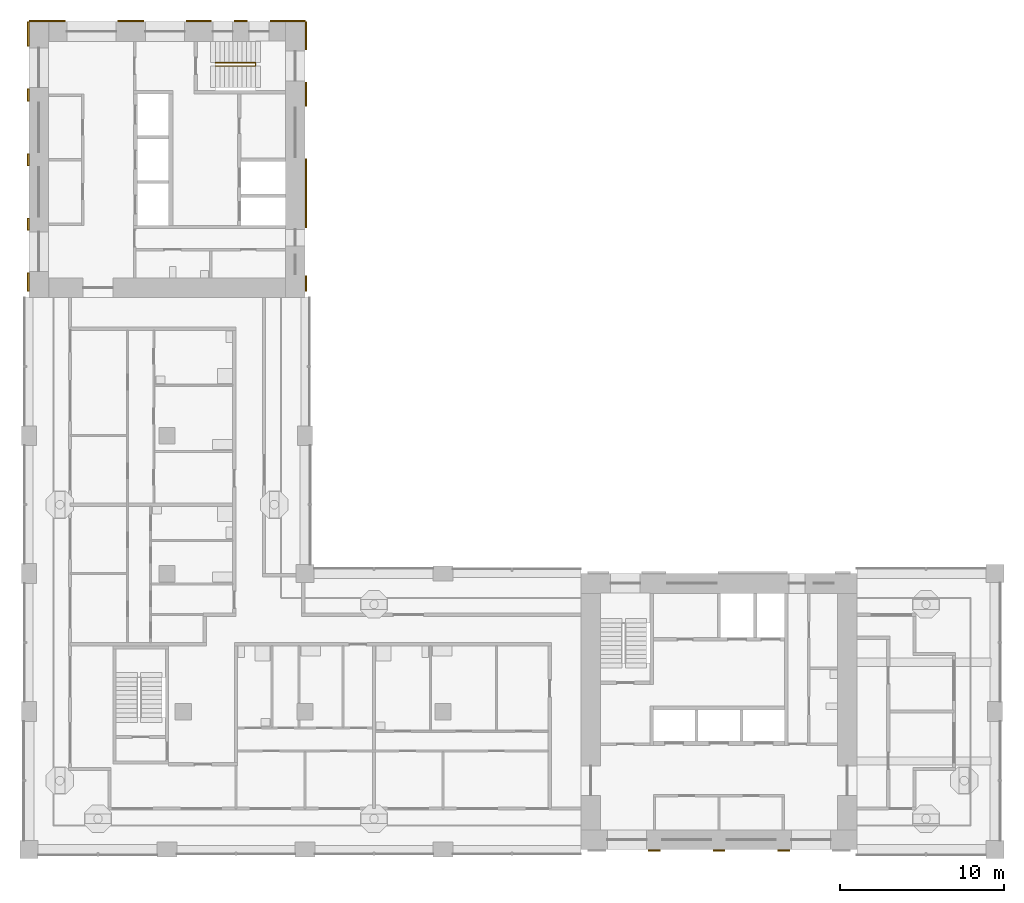
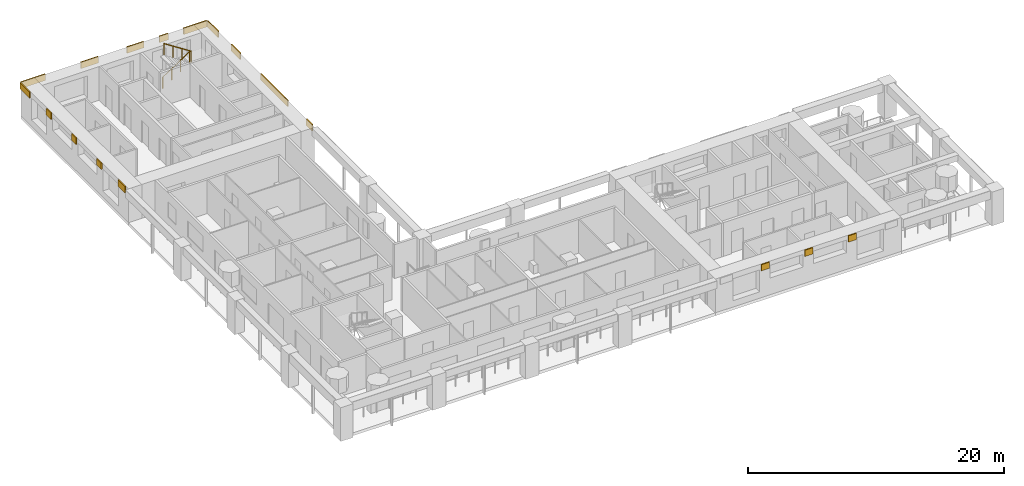
# One storey, part 10 of 13: 17 shading devices, 1 railing.
"""IFC4 building model written with IfcOpenShell, lengths in metres."""

from ifc_helpers import new_model, si_unit, direction, frame, origin, origin_2d, place, context, subcontext, project, spatial, rectangle, circle, extrude, material, layer, layer_set, type_object, element, save


model = new_model("IFC4")

# Units and contexts
model_context = context("Model", 3, precision=1e-05, world=origin(), true_north=direction((0.0, 1.0)))
body_context = subcontext(model_context, "Body", "Model", "MODEL_VIEW")
ifc_project = project(units=[si_unit("LENGTHUNIT", "METRE"), si_unit("AREAUNIT", "SQUARE_METRE"), si_unit("VOLUMEUNIT", "CUBIC_METRE"), si_unit("PLANEANGLEUNIT", "RADIAN"), si_unit("MASSUNIT", "GRAM", prefix="KILO")], contexts=[model_context])

# Site, building, storey
site_placement = place(None, origin())
site = spatial("IfcSite", under=ifc_project, at=site_placement, CompositionType="ELEMENT")
building_placement = place(site_placement, origin())
building = spatial("IfcBuilding", under=site, at=building_placement, Name="Vermilion Gate Residences", CompositionType="ELEMENT")
storey_placement = place(building_placement, frame((0.0, 0.0, 186.199951171875)))
storey = spatial("IfcBuildingStorey", under=building, at=storey_placement, Name="L48", CompositionType="ELEMENT", Elevation=186.199951171875)

# Railing
ifc_material_1 = material(Name="Steel S355", Category="steel")
railing_type = type_object("IfcRailingType", Name="STAIR GUARD 1100 STEEL", PredefinedType="GUARDRAIL", material=ifc_material_1)
railing_placement = place(storey_placement, frame((19.75, 56.300048828125, 0.175048828125)))
element("IfcRailing", 1, at=railing_placement, inside=storey, type_object=railing_type, Name="Stair well guard STB1-48", PredefinedType="GUARDRAIL", context=body_context, shape_type="SweptSolid", body=[
    extrude(circle(Radius=0.02392578125, at=origin_2d()), frame((0.0, 0.0, 1.076171875), z_axis=(0.839153699163, 0.0, 0.543894354798), x_axis=(0.0, 1.0, 0.0)), (0.0, 0.0, 1.0), 2.895751953125),
    extrude(circle(Radius=0.02392578125, at=origin_2d()), frame((2.429931640625, 0.0, 2.65087890625), z_axis=(0.0, -0.752405939678, 0.658699705433), x_axis=(1.0, 0.0, 0.0)), (0.0, 0.0, 1.0), 0.265869140625),
    extrude(circle(Radius=0.02392578125, at=origin_2d()), frame((2.429931640625, -0.199951171875, 2.826171875), z_axis=(-0.839153699163, 0.0, 0.543894354798), x_axis=(0.0, -1.0, 0.0)), (0.0, 0.0, 1.0), 2.895751953125),
    extrude(circle(Radius=0.02099609375, at=origin_2d()), origin(), (0.0, 0.0, 1.0), 1.052001953125),
    extrude(circle(Radius=0.02099609375, at=origin_2d()), frame((0.81005859375, 0.0, 0.52490234375)), (0.0, 0.0, 1.0), 1.052001953125),
    extrude(circle(Radius=0.02099609375, at=origin_2d()), frame((1.619873046875, 0.0, 1.050048828125)), (0.0, 0.0, 1.0), 1.052001953125),
    extrude(circle(Radius=0.02099609375, at=origin_2d()), frame((2.429931640625, 0.0, 1.574951171875)), (0.0, 0.0, 1.0), 1.052001953125),
    extrude(circle(Radius=0.02099609375, at=origin_2d()), frame((2.429931640625, -0.199951171875, 1.75)), (0.0, 0.0, 1.0), 1.052001953125),
    extrude(circle(Radius=0.02099609375, at=origin_2d()), frame((1.619873046875, -0.199951171875, 2.27490234375)), (0.0, 0.0, 1.0), 1.052001953125),
    extrude(circle(Radius=0.02099609375, at=origin_2d()), frame((0.81005859375, -0.199951171875, 2.800048828125)), (0.0, 0.0, 1.0), 1.052001953125),
    extrude(circle(Radius=0.02099609375, at=origin_2d()), frame((0.0, -0.199951171875, 3.324951171875)), (0.0, 0.0, 1.0), 1.052001953125),
])

# Shading devices
ifc_material_2 = material(Name="Extruded terracotta", Category="masonry")
ifc_layer = layer(ifc_material_2, 0.10009765625)
ifc_layer_set = layer_set([ifc_layer], Name="TERRACOTTA SPANDREL BAND 600 X 100")
shading_device_type = type_object("IfcShadingDeviceType", Name="TERRACOTTA SPANDREL BAND 600 X 100", PredefinedType="USERDEFINED", material=ifc_layer_set)
shading_device_1_placement = place(storey_placement, frame((46.46875, 8.35009765625, 2.6201171875), z_axis=(0.0, 0.0, 1.0), x_axis=(1.0, 0.0, 0.0)))
element("IfcShadingDevice", 2, at=shading_device_1_placement, inside=storey, type_object=shading_device_type, Name="SPANDREL BAND", ObjectType="BAND", PredefinedType="USERDEFINED", context=body_context, shape_type="SweptSolid", body=[
    extrude(rectangle(XDim=0.737548828125, YDim=0.10009765625, at=origin_2d()), origin(), (0.0, 0.0, 1.0), 0.60009765625),
])
shading_device_2_placement = place(storey_placement, frame((50.39990234375, 8.35009765625, 2.6201171875), z_axis=(0.0, 0.0, 1.0), x_axis=(1.0, 0.0, 0.0)))
element("IfcShadingDevice", 3, at=shading_device_2_placement, inside=storey, type_object=shading_device_type, Name="SPANDREL BAND", ObjectType="BAND", PredefinedType="USERDEFINED", context=body_context, shape_type="SweptSolid", body=[
    extrude(rectangle(XDim=0.72509765625, YDim=0.10009765625, at=origin_2d()), origin(), (0.0, 0.0, 1.0), 0.60009765625),
])
shading_device_3_placement = place(storey_placement, frame((54.331298828125, 8.35009765625, 2.6201171875), z_axis=(0.0, 0.0, 1.0), x_axis=(1.0, 0.0, 0.0)))
element("IfcShadingDevice", 4, at=shading_device_3_placement, inside=storey, type_object=shading_device_type, Name="SPANDREL BAND", ObjectType="BAND", PredefinedType="USERDEFINED", context=body_context, shape_type="SweptSolid", body=[
    extrude(rectangle(XDim=0.737548828125, YDim=0.10009765625, at=origin_2d()), origin(), (0.0, 0.0, 1.0), 0.60009765625),
])
shading_device_4_placement = place(storey_placement, frame((9.50244140625, 58.85009765625, 2.6201171875), z_axis=(0.0, 0.0, 1.0), x_axis=(1.0, 0.0, 0.0)))
element("IfcShadingDevice", 5, at=shading_device_4_placement, inside=storey, type_object=shading_device_type, Name="SPANDREL BAND", ObjectType="BAND", PredefinedType="USERDEFINED", context=body_context, shape_type="SweptSolid", body=[
    extrude(rectangle(XDim=2.205078125, YDim=0.10009765625, at=origin_2d()), origin(), (0.0, 0.0, 1.0), 0.60009765625),
])
shading_device_5_placement = place(storey_placement, frame((14.590087890625, 58.85009765625, 2.6201171875), z_axis=(0.0, 0.0, 1.0), x_axis=(1.0, 0.0, 0.0)))
element("IfcShadingDevice", 6, at=shading_device_5_placement, inside=storey, type_object=shading_device_type, Name="SPANDREL BAND", ObjectType="BAND", PredefinedType="USERDEFINED", context=body_context, shape_type="SweptSolid", body=[
    extrude(rectangle(XDim=1.570068359375, YDim=0.10009765625, at=origin_2d()), origin(), (0.0, 0.0, 1.0), 0.60009765625),
])
shading_device_6_placement = place(storey_placement, frame((18.734130859375, 58.85009765625, 2.6201171875), z_axis=(0.0, 0.0, 1.0), x_axis=(1.0, 0.0, 0.0)))
element("IfcShadingDevice", 7, at=shading_device_6_placement, inside=storey, type_object=shading_device_type, Name="SPANDREL BAND", ObjectType="BAND", PredefinedType="USERDEFINED", context=body_context, shape_type="SweptSolid", body=[
    extrude(rectangle(XDim=1.518310546875, YDim=0.10009765625, at=origin_2d()), origin(), (0.0, 0.0, 1.0), 0.60009765625),
])
shading_device_7_placement = place(storey_placement, frame((21.294921875, 58.85009765625, 2.6201171875), z_axis=(0.0, 0.0, 1.0), x_axis=(1.0, 0.0, 0.0)))
element("IfcShadingDevice", 8, at=shading_device_7_placement, inside=storey, type_object=shading_device_type, Name="SPANDREL BAND", ObjectType="BAND", PredefinedType="USERDEFINED", context=body_context, shape_type="SweptSolid", body=[
    extrude(rectangle(XDim=0.803466796875, YDim=0.10009765625, at=origin_2d()), origin(), (0.0, 0.0, 1.0), 0.60009765625),
])
shading_device_8_placement = place(storey_placement, frame((24.1484375, 58.85009765625, 2.6201171875), z_axis=(0.0, 0.0, 1.0), x_axis=(1.0, 0.0, 0.0)))
element("IfcShadingDevice", 9, at=shading_device_8_placement, inside=storey, type_object=shading_device_type, Name="SPANDREL BAND", ObjectType="BAND", PredefinedType="USERDEFINED", context=body_context, shape_type="SweptSolid", body=[
    extrude(rectangle(XDim=2.103271484375, YDim=0.10009765625, at=origin_2d()), origin(), (0.0, 0.0, 1.0), 0.60009765625),
])
shading_device_9_placement = place(storey_placement, frame((8.35009765625, 42.949951171875, 2.6201171875), z_axis=(0.0, 0.0, 1.0), x_axis=(0.0, 1.0, 0.0)))
element("IfcShadingDevice", 10, at=shading_device_9_placement, inside=storey, type_object=shading_device_type, Name="SPANDREL BAND", ObjectType="BAND", PredefinedType="USERDEFINED", context=body_context, shape_type="SweptSolid", body=[
    extrude(rectangle(XDim=1.10009765625, YDim=0.10009765625, at=origin_2d()), origin(), (0.0, 0.0, 1.0), 0.60009765625),
])
shading_device_10_placement = place(storey_placement, frame((8.35009765625, 46.46875, 2.6201171875), z_axis=(0.0, 0.0, 1.0), x_axis=(0.0, 1.0, 0.0)))
element("IfcShadingDevice", 11, at=shading_device_10_placement, inside=storey, type_object=shading_device_type, Name="SPANDREL BAND", ObjectType="BAND", PredefinedType="USERDEFINED", context=body_context, shape_type="SweptSolid", body=[
    extrude(rectangle(XDim=0.737548828125, YDim=0.10009765625, at=origin_2d()), origin(), (0.0, 0.0, 1.0), 0.60009765625),
])
shading_device_11_placement = place(storey_placement, frame((8.35009765625, 50.39990234375, 2.6201171875), z_axis=(0.0, 0.0, 1.0), x_axis=(0.0, 1.0, 0.0)))
element("IfcShadingDevice", 12, at=shading_device_11_placement, inside=storey, type_object=shading_device_type, Name="SPANDREL BAND", ObjectType="BAND", PredefinedType="USERDEFINED", context=body_context, shape_type="SweptSolid", body=[
    extrude(rectangle(XDim=0.72509765625, YDim=0.10009765625, at=origin_2d()), origin(), (0.0, 0.0, 1.0), 0.60009765625),
])
shading_device_12_placement = place(storey_placement, frame((8.35009765625, 54.331298828125, 2.6201171875), z_axis=(0.0, 0.0, 1.0), x_axis=(0.0, 1.0, 0.0)))
element("IfcShadingDevice", 13, at=shading_device_12_placement, inside=storey, type_object=shading_device_type, Name="SPANDREL BAND", ObjectType="BAND", PredefinedType="USERDEFINED", context=body_context, shape_type="SweptSolid", body=[
    extrude(rectangle(XDim=0.737548828125, YDim=0.10009765625, at=origin_2d()), origin(), (0.0, 0.0, 1.0), 0.60009765625),
])
shading_device_13_placement = place(storey_placement, frame((8.35009765625, 58.050048828125, 2.6201171875), z_axis=(0.0, 0.0, 1.0), x_axis=(0.0, 1.0, 0.0)))
element("IfcShadingDevice", 14, at=shading_device_13_placement, inside=storey, type_object=shading_device_type, Name="SPANDREL BAND", ObjectType="BAND", PredefinedType="USERDEFINED", context=body_context, shape_type="SweptSolid", body=[
    extrude(rectangle(XDim=1.5, YDim=0.10009765625, at=origin_2d()), origin(), (0.0, 0.0, 1.0), 0.60009765625),
])
shading_device_14_placement = place(storey_placement, frame((25.25, 42.862548828125, 2.6201171875), z_axis=(0.0, 0.0, 1.0), x_axis=(0.0, 1.0, 0.0)))
element("IfcShadingDevice", 15, at=shading_device_14_placement, inside=storey, type_object=shading_device_type, Name="SPANDREL BAND", ObjectType="BAND", PredefinedType="USERDEFINED", context=body_context, shape_type="SweptSolid", body=[
    extrude(rectangle(XDim=0.925048828125, YDim=0.10009765625, at=origin_2d()), origin(), (0.0, 0.0, 1.0), 0.60009765625),
])
shading_device_15_placement = place(storey_placement, frame((25.25, 48.35009765625, 2.6201171875), z_axis=(0.0, 0.0, 1.0), x_axis=(0.0, 1.0, 0.0)))
element("IfcShadingDevice", 16, at=shading_device_15_placement, inside=storey, type_object=shading_device_type, Name="SPANDREL BAND", ObjectType="BAND", PredefinedType="USERDEFINED", context=body_context, shape_type="SweptSolid", body=[
    extrude(rectangle(XDim=4.199951171875, YDim=0.10009765625, at=origin_2d()), origin(), (0.0, 0.0, 1.0), 0.60009765625),
])
shading_device_16_placement = place(storey_placement, frame((25.25, 54.375, 2.6201171875), z_axis=(0.0, 0.0, 1.0), x_axis=(0.0, 1.0, 0.0)))
element("IfcShadingDevice", 17, at=shading_device_16_placement, inside=storey, type_object=shading_device_type, Name="SPANDREL BAND", ObjectType="BAND", PredefinedType="USERDEFINED", context=body_context, shape_type="SweptSolid", body=[
    extrude(rectangle(XDim=1.449951171875, YDim=0.10009765625, at=origin_2d()), origin(), (0.0, 0.0, 1.0), 0.60009765625),
])
shading_device_17_placement = place(storey_placement, frame((25.25, 57.949951171875, 2.6201171875), z_axis=(0.0, 0.0, 1.0), x_axis=(0.0, 1.0, 0.0)))
element("IfcShadingDevice", 18, at=shading_device_17_placement, inside=storey, type_object=shading_device_type, Name="SPANDREL BAND", ObjectType="BAND", PredefinedType="USERDEFINED", context=body_context, shape_type="SweptSolid", body=[
    extrude(rectangle(XDim=1.699951171875, YDim=0.10009765625, at=origin_2d()), origin(), (0.0, 0.0, 1.0), 0.60009765625),
])

save(model, "model.ifc")
